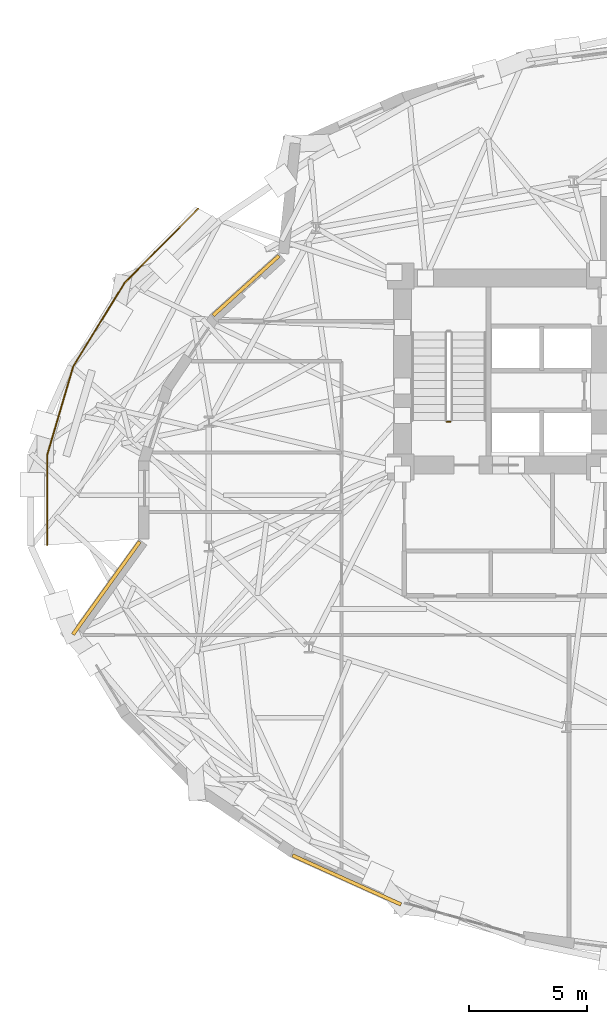
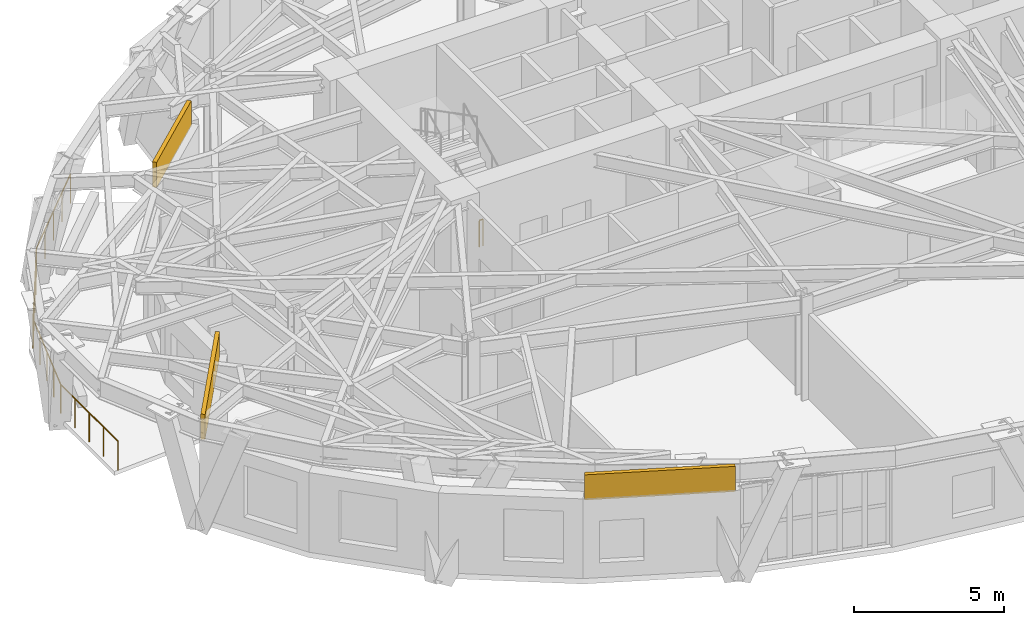
# One storey, part 17 of 20: 3 coverings, 2 railings.
"""IFC4 building model written with IfcOpenShell, lengths in metres."""

from ifc_helpers import new_model, si_unit, direction, frame, origin, origin_2d, place, context, subcontext, project, spatial, rectangle, circle, extrude, material, layer, layer_set, type_object, element, save


model = new_model("IFC4")

# Units and contexts
model_context = context("Model", 3, precision=1e-05, world=origin(), true_north=direction((0.0, 1.0)))
body_context = subcontext(model_context, "Body", "Model", "MODEL_VIEW")
ifc_project = project(units=[si_unit("LENGTHUNIT", "METRE"), si_unit("AREAUNIT", "SQUARE_METRE"), si_unit("VOLUMEUNIT", "CUBIC_METRE"), si_unit("PLANEANGLEUNIT", "RADIAN"), si_unit("MASSUNIT", "GRAM", prefix="KILO")], contexts=[model_context])

# Site, building, storey
site_placement = place(None, origin())
site = spatial("IfcSite", under=ifc_project, at=site_placement, CompositionType="ELEMENT")
building_placement = place(site_placement, origin())
building = spatial("IfcBuilding", under=site, at=building_placement, Name="Keldmark Tower", CompositionType="ELEMENT")
storey_placement = place(building_placement, frame((0.0, 0.0, 81.89990234375)))
storey = spatial("IfcBuildingStorey", under=building, at=storey_placement, Name="L21", CompositionType="ELEMENT", Elevation=81.89990234375)

# Railing
ifc_material_1 = material(Name="DuPont SentryGlas Laminated Glass and Stainless Posts", Category="glass")
railing_type_1 = type_object("IfcRailingType", Name="Heated Laminated Glass Wind-Baffle Guard 1200 mm", PredefinedType="GUARDRAIL", material=ifc_material_1)
railing_1_placement = place(storey_placement, frame((-22.140380859375, 12.302734375, 0.0)))
element("IfcRailing", 1, at=railing_1_placement, inside=storey, type_object=railing_type_1, Name="L21 Terrace Laminated Glass Wind-Baffle Guard TERR 01", PredefinedType="GUARDRAIL", context=body_context, shape_type="SweptSolid", body=[
    extrude(circle(Radius=0.02392578125, at=origin_2d()), frame((0.0, 0.0, 1.17578125), z_axis=(-0.703610064837, -0.710586290791, 0.0), x_axis=(0.710586290791, -0.703610064837, 0.0)), (0.0, 0.0, 1.0), 4.444580078125),
    extrude(circle(Radius=0.02392578125, at=origin_2d()), frame((-3.127197265625, -3.158203125, 1.17578125), z_axis=(-0.523026001565, -0.852316726157, 0.0), x_axis=(0.852316726157, -0.523026001565, 0.0)), (0.0, 0.0, 1.0), 4.120849609375),
    extrude(circle(Radius=0.02392578125, at=origin_2d()), frame((-5.282470703125, -6.67041015625, 1.17578125), z_axis=(-0.282523207456, -0.959260463716, 0.0), x_axis=(0.959260463716, -0.282523207456, 0.0)), (0.0, 0.0, 1.0), 3.888671875),
    extrude(circle(Radius=0.02392578125, at=origin_2d()), frame((-6.381103515625, -10.400634765625, 1.17578125), z_axis=(0.0, -1.0, 0.0), x_axis=(1.0, 0.0, 0.0)), (0.0, 0.0, 1.0), 3.80419921875),
    extrude(circle(Radius=0.02099609375, at=origin_2d()), origin(), (0.0, 0.0, 1.0), 1.15185546875),
    extrude(circle(Radius=0.02099609375, at=origin_2d()), frame((-0.78173828125, -0.78955078125, 0.0)), (0.0, 0.0, 1.0), 1.15185546875),
    extrude(circle(Radius=0.02099609375, at=origin_2d()), frame((-1.5634765625, -1.5791015625, 0.0)), (0.0, 0.0, 1.0), 1.15185546875),
    extrude(circle(Radius=0.02099609375, at=origin_2d()), frame((-2.345458984375, -2.36865234375, 0.0)), (0.0, 0.0, 1.0), 1.15185546875),
    extrude(circle(Radius=0.02099609375, at=origin_2d()), frame((-3.127197265625, -3.158203125, 0.0)), (0.0, 0.0, 1.0), 1.15185546875),
    extrude(circle(Radius=0.02099609375, at=origin_2d()), frame((-3.666015625, -4.0361328125, 0.0)), (0.0, 0.0, 1.0), 1.15185546875),
    extrude(circle(Radius=0.02099609375, at=origin_2d()), frame((-4.204833984375, -4.914306640625, 0.0)), (0.0, 0.0, 1.0), 1.15185546875),
    extrude(circle(Radius=0.02099609375, at=origin_2d()), frame((-4.74365234375, -5.79248046875, 0.0)), (0.0, 0.0, 1.0), 1.15185546875),
    extrude(circle(Radius=0.02099609375, at=origin_2d()), frame((-5.282470703125, -6.67041015625, 0.0)), (0.0, 0.0, 1.0), 1.15185546875),
    extrude(circle(Radius=0.02099609375, at=origin_2d()), frame((-5.55712890625, -7.60302734375, 0.0)), (0.0, 0.0, 1.0), 1.15185546875),
    extrude(circle(Radius=0.02099609375, at=origin_2d()), frame((-5.831787109375, -8.53564453125, 0.0)), (0.0, 0.0, 1.0), 1.15185546875),
    extrude(circle(Radius=0.02099609375, at=origin_2d()), frame((-6.1064453125, -9.468017578125, 0.0)), (0.0, 0.0, 1.0), 1.15185546875),
    extrude(circle(Radius=0.02099609375, at=origin_2d()), frame((-6.381103515625, -10.400634765625, 0.0)), (0.0, 0.0, 1.0), 1.15185546875),
    extrude(circle(Radius=0.02099609375, at=origin_2d()), frame((-6.381103515625, -11.3515625, 0.0)), (0.0, 0.0, 1.0), 1.15185546875),
    extrude(circle(Radius=0.02099609375, at=origin_2d()), frame((-6.381103515625, -12.302734375, 0.0)), (0.0, 0.0, 1.0), 1.15185546875),
    extrude(circle(Radius=0.02099609375, at=origin_2d()), frame((-6.381103515625, -13.25390625, 0.0)), (0.0, 0.0, 1.0), 1.15185546875),
    extrude(circle(Radius=0.02099609375, at=origin_2d()), frame((-6.381103515625, -14.204833984375, 0.0)), (0.0, 0.0, 1.0), 1.15185546875),
])

# Coverings
ifc_material_2 = material(Name="Honed Kasota Buff Dolomitic Limestone", Category="masonry")
ifc_layer = layer(ifc_material_2, 0.074951171875)
ifc_layer_set = layer_set([ifc_layer], Name="Honed Kasota Buff Dolomitic Limestone")
covering_type = type_object("IfcCoveringType", Name="Kasota Buff Limestone Spandrel Cladding Band", PredefinedType="CLADDING", material=ifc_layer_set)
covering_1_placement = place(storey_placement, frame((-20.12841796875, 9.0478515625, 3.15185546875), z_axis=(0.0, 0.0, 1.0), x_axis=(-0.741730066954, -0.670698522271, 0.0)))
element("IfcCovering", 2, at=covering_1_placement, inside=storey, type_object=covering_type, Name="L21 Kasota Limestone Spandrel Band 13", PredefinedType="CLADDING", context=body_context, shape_type="SweptSolid", body=[
    extrude(rectangle(XDim=3.751708984375, YDim=0.14990234375, at=origin_2d()), origin(), (0.0, 0.0, 1.0), 1.028076171875),
])
covering_2_placement = place(storey_placement, frame((-26.02587890625, -3.717041015625, 3.15185546875), z_axis=(0.0, 0.0, 1.0), x_axis=(-0.584108010358, -0.811675940407, 0.0)))
element("IfcCovering", 3, at=covering_2_placement, inside=storey, type_object=covering_type, Name="L21 Kasota Limestone Spandrel Band 17", PredefinedType="CLADDING", context=body_context, shape_type="SweptSolid", body=[
    extrude(rectangle(XDim=4.8271484375, YDim=0.14990234375, at=origin_2d()), origin(), (0.0, 0.0, 1.0), 1.028076171875),
])
covering_3_placement = place(storey_placement, frame((-15.8779296875, -16.035400390625, 3.15185546875), z_axis=(0.0, 0.0, 1.0), x_axis=(0.911094181936, -0.412198243134, 0.0)))
element("IfcCovering", 4, at=covering_3_placement, inside=storey, type_object=covering_type, Name="L21 Kasota Limestone Spandrel Band 21", PredefinedType="CLADDING", context=body_context, shape_type="SweptSolid", body=[
    extrude(rectangle(XDim=5.032470703125, YDim=0.14990234375, at=origin_2d()), origin(), (0.0, 0.0, 1.0), 1.028076171875),
])

# Railing
ifc_material_3 = material(Name="Painted Steel ASTM A500 Grade B", Category="steel")
railing_type_2 = type_object("IfcRailingType", Name="Painted Steel Stair Well Guard 1100 mm", PredefinedType="GUARDRAIL", material=ifc_material_3)
railing_2_placement = place(storey_placement, frame((-11.5, 3.300048828125, 0.0)))
element("IfcRailing", 5, at=railing_2_placement, inside=storey, type_object=railing_type_2, Name="L21 ST1 stair guard 4", PredefinedType="GUARDRAIL", context=body_context, shape_type="SweptSolid", body=[
    extrude(circle(Radius=0.02392578125, at=origin_2d()), frame((0.0, 0.0, 1.076171875), z_axis=(-1.0, 0.0, 0.0), x_axis=(0.0, -1.0, 0.0)), (0.0, 0.0, 1.0), 0.14990234375),
    extrude(circle(Radius=0.02099609375, at=origin_2d()), origin(), (0.0, 0.0, 1.0), 1.052001953125),
    extrude(circle(Radius=0.02099609375, at=origin_2d()), frame((-0.14990234375, 0.0, 0.0)), (0.0, 0.0, 1.0), 1.052001953125),
])

save(model, "model.ifc")
